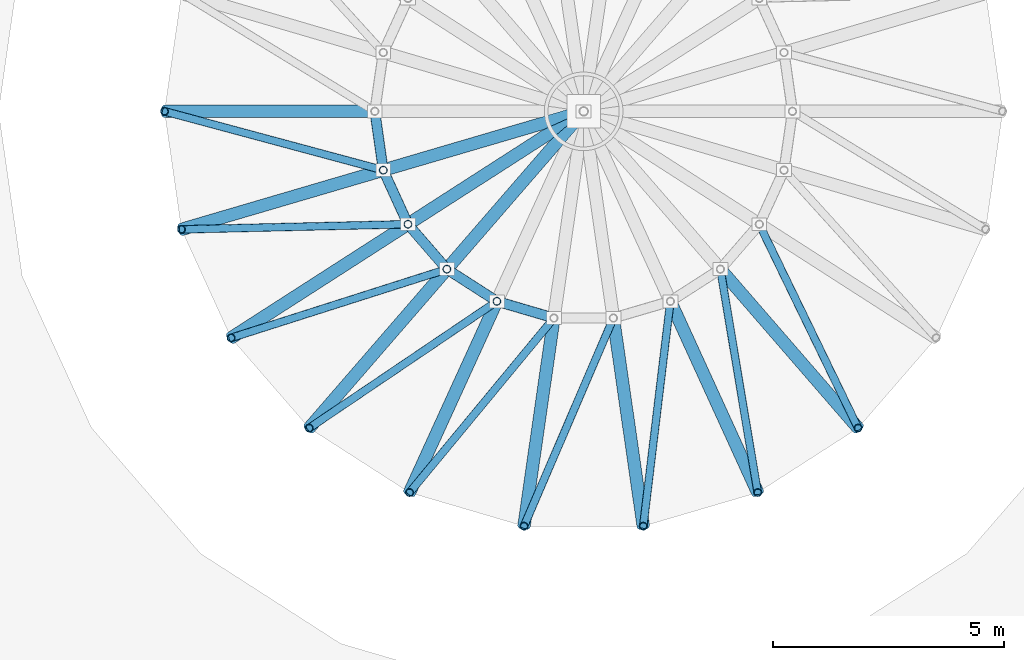
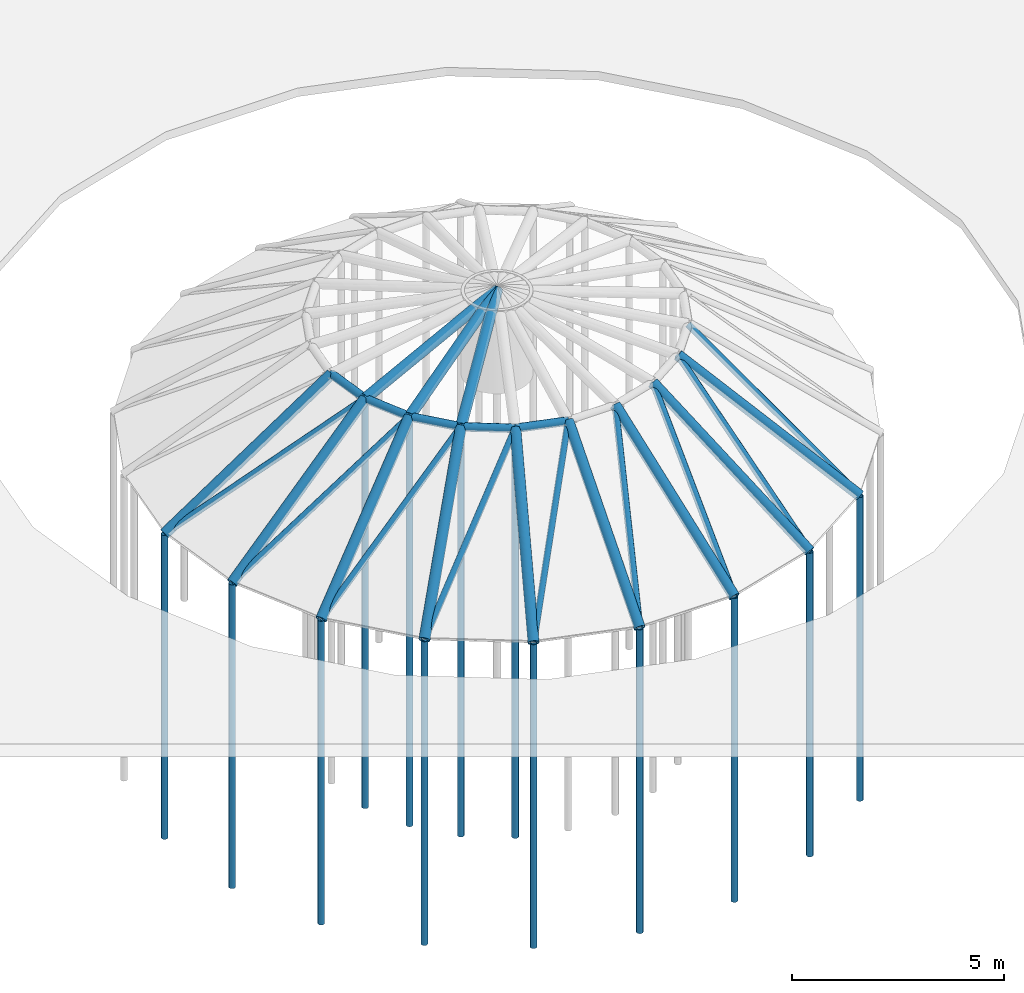
# One storey, part 1 of 8: 22 members, 17 beams.
"""IFC4 building model written with IfcOpenShell, lengths in metres."""

from ifc_helpers import new_model, si_unit, direction, frame, origin, origin_2d, place, context, subcontext, project, spatial, hollow_circle, extrude, material, material_profile, profile_set, type_object, element, save


model = new_model("IFC4")

# Units and contexts
model_context = context("Model", 3, precision=1e-05, world=origin(), true_north=direction((0.0, 1.0)))
body_context = subcontext(model_context, "Body", "Model", "MODEL_VIEW")
ifc_project = project(units=[si_unit("LENGTHUNIT", "METRE"), si_unit("AREAUNIT", "SQUARE_METRE"), si_unit("VOLUMEUNIT", "CUBIC_METRE"), si_unit("PLANEANGLEUNIT", "RADIAN"), si_unit("MASSUNIT", "GRAM", prefix="KILO")], contexts=[model_context])

# Site, building, storey
site_placement = place(None, origin())
site = spatial("IfcSite", under=ifc_project, at=site_placement, CompositionType="ELEMENT")
building_placement = place(site_placement, origin())
building = spatial("IfcBuilding", under=site, at=building_placement, Name="Pelvatis Terrace Science Centre", CompositionType="ELEMENT")
storey_placement = place(building_placement, frame((0.0, 0.0, 28.800048828125)))
storey = spatial("IfcBuildingStorey", under=building, at=storey_placement, Name="RF", CompositionType="ELEMENT", Elevation=28.800048828125)

# Beams
ifc_material_1 = material(Name="Structural steel S355", Category="steel")
ifc_material_profile_1 = material_profile(ifc_material_1, hollow_circle(Radius=0.136474609375, WallThickness=0.010009765625, at=origin_2d()), Name="CHS 273.0x10.0")
ifc_profile_set_1 = profile_set([ifc_material_profile_1], Name="Structural steel S355")
beam_type_1 = type_object("IfcBeamType", Name="BM-DOME-CHS273", PredefinedType="BEAM", material=ifc_profile_set_1)
beam_1_placement = place(storey_placement, frame((100.13623046875, 85.800048828125, -1.447265625), z_axis=(0.833904939905, 0.0, 0.551908100323), x_axis=(0.0, 1.0, 0.0)))
element("IfcBeam", 1, at=beam_1_placement, inside=storey, type_object=beam_type_1, Name="Planetarium meridional dome rib 12.3", PredefinedType="BEAM", context=body_context, shape_type="SweptSolid", body=[
    extrude(hollow_circle(Radius=0.136474609375, WallThickness=0.010009765625, at=origin_2d()), origin(), (0.0, 0.0, 1.0), 5.454345703125),
])
beam_2_placement = place(storey_placement, frame((100.50341796875, 83.24658203125, -1.447265625), z_axis=(0.800125928347, 0.234912496334, 0.551919031973), x_axis=(-0.281704212601, 0.95950129578, 0.0)))
element("IfcBeam", 2, at=beam_2_placement, inside=storey, type_object=beam_type_1, Name="Planetarium meridional dome rib 13.3", PredefinedType="BEAM", context=body_context, shape_type="SweptSolid", body=[
    extrude(hollow_circle(Radius=0.136474609375, WallThickness=0.010009765625, at=origin_2d()), origin(), (0.0, 0.0, 1.0), 5.4541015625),
])
beam_3_placement = place(storey_placement, frame((104.867431640625, 84.52783203125, 1.56298828125), z_axis=(0.943420850134, 0.277029530601, 0.182240881002), x_axis=(-0.28174770157, 0.959488526591, 0.0)))
element("IfcBeam", 3, at=beam_3_placement, inside=storey, type_object=beam_type_1, Name="Planetarium meridional dome rib 13.4", PredefinedType="BEAM", context=body_context, shape_type="SweptSolid", body=[
    extrude(hollow_circle(Radius=0.136474609375, WallThickness=0.010009765625, at=origin_2d()), origin(), (0.0, 0.0, 1.0), 4.59228515625),
])
beam_4_placement = place(storey_placement, frame((101.5751953125, 80.89990234375, -1.447265625), z_axis=(0.701514857853, 0.450845944889, 0.551919231581), x_axis=(-0.54064906726, 0.841248230947, 0.0)))
element("IfcBeam", 4, at=beam_4_placement, inside=storey, type_object=beam_type_1, Name="Planetarium meridional dome rib 14.3", PredefinedType="BEAM", context=body_context, shape_type="SweptSolid", body=[
    extrude(hollow_circle(Radius=0.136474609375, WallThickness=0.010009765625, at=origin_2d()), origin(), (0.0, 0.0, 1.0), 5.4541015625),
])
beam_5_placement = place(storey_placement, frame((105.4013671875, 83.35888671875, 1.56298828125), z_axis=(0.82716924602, 0.531580775818, 0.182244114362), x_axis=(-0.540634613019, 0.841257520148, 0.0)))
element("IfcBeam", 5, at=beam_5_placement, inside=storey, type_object=beam_type_1, Name="Planetarium meridional dome rib 14.4", PredefinedType="BEAM", context=body_context, shape_type="SweptSolid", body=[
    extrude(hollow_circle(Radius=0.136474609375, WallThickness=0.010009765625, at=origin_2d()), origin(), (0.0, 0.0, 1.0), 4.59228515625),
])
beam_6_placement = place(storey_placement, frame((103.2646484375, 78.9501953125, -1.447265625), z_axis=(0.546067911742, 0.630222979704, 0.551931908499), x_axis=(-0.755763467221, 0.654844700379, 0.0)))
element("IfcBeam", 6, at=beam_6_placement, inside=storey, type_object=beam_type_1, Name="Planetarium meridional dome rib 15.3", PredefinedType="BEAM", context=body_context, shape_type="SweptSolid", body=[
    extrude(hollow_circle(Radius=0.136474609375, WallThickness=0.010009765625, at=origin_2d()), origin(), (0.0, 0.0, 1.0), 5.4541015625),
])
beam_7_placement = place(storey_placement, frame((106.242919921875, 82.387451171875, 1.56298828125), z_axis=(0.643894512117, 0.743094244582, 0.182238308086), x_axis=(-0.755749733489, 0.654860550294, 0.0)))
element("IfcBeam", 7, at=beam_7_placement, inside=storey, type_object=beam_type_1, Name="Planetarium meridional dome rib 15.4", PredefinedType="BEAM", context=body_context, shape_type="SweptSolid", body=[
    extrude(hollow_circle(Radius=0.136474609375, WallThickness=0.010009765625, at=origin_2d()), origin(), (0.0, 0.0, 1.0), 4.592529296875),
])
for number, where, z_axis, x_axis, name in (
    (8, (105.434814453125, 77.555419921875, -1.447265625), (0.346414697802, 0.758540311273, 0.551917976986), (-0.90963156718, 0.415415950573, 0.0), "Planetarium meridional dome rib 16.3"),
    (9, (107.91015625, 76.82861328125, -1.447265625), (0.118664322127, 0.825413089411, 0.551916669872), (-0.98982349653, 0.142300547142, 0.0), "Planetarium meridional dome rib 17.3"),
    (10, (110.489990234375, 76.82861328125, -1.447265625), (-0.118708453569, 0.825408704302, 0.551913737747), (-0.989815934505, -0.142353137652, 0.0), "Planetarium meridional dome rib 18.3"),
    (11, (112.965087890625, 77.555419921875, -1.447265625), (-0.346414697802, 0.758540311273, 0.551917976986), (-0.90963156718, -0.415415950573, 0.0), "Planetarium meridional dome rib 19.3"),
    (12, (115.135498046875, 78.9501953125, -1.447265625), (-0.546099325938, 0.63020757458, 0.551918417116), (-0.755736900791, -0.654875359731, 0.0), "Planetarium meridional dome rib 20.3"),
):
    element("IfcBeam", number, at=place(storey_placement, frame(where, z_axis=z_axis, x_axis=x_axis)), inside=storey, type_object=beam_type_1, Name=name, PredefinedType="BEAM", context=body_context, shape_type="SweptSolid", body=[
        extrude(hollow_circle(Radius=0.136474609375, WallThickness=0.010009765625, at=origin_2d()), origin(), (0.0, 0.0, 1.0), 5.4541015625),
    ])
ifc_material_2 = material(Name="Structural steel S355", Category="steel")
ifc_material_profile_2 = material_profile(ifc_material_2, hollow_circle(Radius=0.109619140625, WallThickness=0.008056640625, at=origin_2d()), Name="CHS 219.1x8.0")
ifc_profile_set_2 = profile_set([ifc_material_profile_2], Name="Structural steel S355")
beam_type_2 = type_object("IfcBeamType", Name="BM-HOOP-CHS219", PredefinedType="BEAM", material=ifc_profile_set_2)
beam_8_placement = place(storey_placement, frame((104.6845703125, 85.800048828125, 1.56298828125), z_axis=(0.142272278362, -0.989827560138, 0.0), x_axis=(0.989827560138, 0.142272278362, 0.0)))
element("IfcBeam", 13, at=beam_8_placement, inside=storey, type_object=beam_type_2, Name="Planetarium dome hoop ring 4.12", PredefinedType="BEAM", context=body_context, shape_type="SweptSolid", body=[
    extrude(hollow_circle(Radius=0.109619140625, WallThickness=0.008056640625, at=origin_2d()), origin(), (0.0, 0.0, 1.0), 1.285400390625),
])
for number, where, z_axis, x_axis, name in (
    (14, (104.867431640625, 84.52783203125, 1.56298828125), (0.415476893128, -0.909603733104, 0.0), (0.909603733104, 0.415476893128, 0.0), "Planetarium dome hoop ring 4.13"),
    (15, (105.4013671875, 83.35888671875, 1.56298828125), (0.654771425378, -0.75582695143, 0.0), (0.75582695143, 0.654771425378, 0.0), "Planetarium dome hoop ring 4.14"),
):
    element("IfcBeam", number, at=place(storey_placement, frame(where, z_axis=z_axis, x_axis=x_axis)), inside=storey, type_object=beam_type_2, Name=name, PredefinedType="BEAM", context=body_context, shape_type="SweptSolid", body=[
        extrude(hollow_circle(Radius=0.109619140625, WallThickness=0.008056640625, at=origin_2d()), origin(), (0.0, 0.0, 1.0), 1.28515625),
    ])
beam_9_placement = place(storey_placement, frame((106.242919921875, 82.387451171875, 1.56298828125), z_axis=(0.84128337713, -0.540594376002, 0.0), x_axis=(0.540594376002, 0.84128337713, 0.0)))
element("IfcBeam", 16, at=beam_9_placement, inside=storey, type_object=beam_type_2, Name="Planetarium dome hoop ring 4.15", PredefinedType="BEAM", context=body_context, shape_type="SweptSolid", body=[
    extrude(hollow_circle(Radius=0.109619140625, WallThickness=0.008056640625, at=origin_2d()), origin(), (0.0, 0.0, 1.0), 1.285400390625),
])
beam_10_placement = place(storey_placement, frame((107.32421875, 81.692626953125, 1.56298828125), z_axis=(0.959498489301, -0.281713771458, 0.0), x_axis=(0.281713771458, 0.959498489301, 0.0)))
element("IfcBeam", 17, at=beam_10_placement, inside=storey, type_object=beam_type_2, Name="Planetarium dome hoop ring 4.16", PredefinedType="BEAM", context=body_context, shape_type="SweptSolid", body=[
    extrude(hollow_circle(Radius=0.109619140625, WallThickness=0.008056640625, at=origin_2d()), origin(), (0.0, 0.0, 1.0), 1.28515625),
])

# Members
ifc_material_3 = material(Name="Structural steel S355", Category="steel")
ifc_material_profile_3 = material_profile(ifc_material_3, hollow_circle(Radius=0.084228515625, WallThickness=0.00634765625, at=origin_2d()), Name="CHS 168.3x6.3")
ifc_profile_set_3 = profile_set([ifc_material_profile_3], Name="Structural steel S355")
member_type_1 = type_object("IfcMemberType", Name="MEM-BRC-CHS168", PredefinedType="BRACE", material=ifc_profile_set_3)
for number, where, z_axis, x_axis, name in (
    (18, (100.13623046875, 85.800048828125, -1.447265625), (0.822793596799, -0.221248641979, 0.523507149416), (0.259675018365, 0.965696062349, 0.0), "Planetarium dome lateral brace 3.12"),
    (19, (100.50341796875, 83.24658203125, -1.447265625), (0.851796033613, 0.019530763407, 0.523509375658), (-0.02292289545, 0.99973723591, 0.0), "Planetarium dome lateral brace 3.13"),
):
    element("IfcMember", number, at=place(storey_placement, frame(where, z_axis=z_axis, x_axis=x_axis)), inside=storey, type_object=member_type_1, Name=name, PredefinedType="BRACE", context=body_context, shape_type="SweptSolid", body=[
        extrude(hollow_circle(Radius=0.084228515625, WallThickness=0.00634765625, at=origin_2d()), origin(), (0.0, 0.0, 1.0), 5.750244140625),
    ])
for number, where, z_axis, x_axis, name in (
    (20, (101.5751953125, 80.89990234375, -1.447265625), (0.811783310714, 0.258705774998, 0.523525718976), (-0.303641757653, 0.952786273521, 0.0), "Planetarium dome lateral brace 3.14"),
    (21, (103.2646484375, 78.9501953125, -1.447265625), (0.706010402451, 0.476943399731, 0.523521064603), (-0.559784357682, 0.828638324539, 0.0), "Planetarium dome lateral brace 3.15"),
    (22, (105.434814453125, 77.555419921875, -1.447265625), (0.543043553139, 0.656534985316, 0.523512666943), (-0.770564787212, 0.637361678099, 0.0), "Planetarium dome lateral brace 3.16"),
    (23, (107.91015625, 76.82861328125, -1.447265625), (0.336060933378, 0.782939180227, 0.52351627398), (-0.91892579323, 0.394430458428, 0.0), "Planetarium dome lateral brace 3.17"),
    (24, (110.489990234375, 76.82861328125, -1.447265625), (0.10185849116, 0.845905260268, 0.523516130056), (-0.992828180324, 0.11955000776, 0.0), "Planetarium dome lateral brace 3.18"),
    (25, (112.965087890625, 77.555419921875, -1.447265625), (-0.140538617102, 0.840344504434, 0.523516963403), (-0.986302185102, -0.164948475783, 0.0), "Planetarium dome lateral brace 3.19"),
):
    element("IfcMember", number, at=place(storey_placement, frame(where, z_axis=z_axis, x_axis=x_axis)), inside=storey, type_object=member_type_1, Name=name, PredefinedType="BRACE", context=body_context, shape_type="SweptSolid", body=[
        extrude(hollow_circle(Radius=0.084228515625, WallThickness=0.00634765625, at=origin_2d()), origin(), (0.0, 0.0, 1.0), 5.75),
    ])
member_1_placement = place(storey_placement, frame((115.135498046875, 78.9501953125, -1.447265625), z_axis=(-0.371632800205, 0.766702285627, 0.523504218728), x_axis=(-0.8998609327, -0.436176915712, 0.0)))
element("IfcMember", 26, at=member_1_placement, inside=storey, type_object=member_type_1, Name="Planetarium dome lateral brace 3.20", PredefinedType="BRACE", context=body_context, shape_type="SweptSolid", body=[
    extrude(hollow_circle(Radius=0.084228515625, WallThickness=0.00634765625, at=origin_2d()), origin(), (0.0, 0.0, 1.0), 5.750244140625),
])
ifc_material_4 = material(Name="Structural steel S355", Category="steel")
ifc_material_profile_4 = material_profile(ifc_material_4, hollow_circle(Radius=0.084228515625, WallThickness=0.00634765625, at=origin_2d()), Name="CHS 168.3x6.3")
ifc_profile_set_4 = profile_set([ifc_material_profile_4], Name="Structural steel S355")
member_type_2 = type_object("IfcMemberType", Name="MEM-STR-CHS168", PredefinedType="STRUT", material=ifc_profile_set_4)
for number, where, z_axis, x_axis, name in (
    (27, (100.13623046875, 85.800048828125, -10.199951171875), (0.0, 0.0, 1.0), (1.0, 0.0, 0.0), "Dome arch vertical web post 2.12"),
    (28, (100.50341796875, 83.24658203125, -10.199951171875), (0.0, 0.0, 1.0), (1.0, 0.0, 0.0), "Dome arch vertical web post 2.13"),
):
    element("IfcMember", number, at=place(storey_placement, frame(where, z_axis=z_axis, x_axis=x_axis)), inside=storey, type_object=member_type_2, Name=name, PredefinedType="STRUT", context=body_context, shape_type="SweptSolid", body=[
        extrude(hollow_circle(Radius=0.084228515625, WallThickness=0.00634765625, at=origin_2d()), origin(), (0.0, 0.0, 1.0), 8.752685546875),
    ])
member_2_placement = place(storey_placement, frame((104.867431640625, 84.52783203125, -10.199951171875), z_axis=(0.0, 0.0, 1.0), x_axis=(1.0, 0.0, 0.0)))
element("IfcMember", 29, at=member_2_placement, inside=storey, type_object=member_type_2, Name="Dome arch vertical web post 3.13", PredefinedType="STRUT", context=body_context, shape_type="SweptSolid", body=[
    extrude(hollow_circle(Radius=0.084228515625, WallThickness=0.00634765625, at=origin_2d()), origin(), (0.0, 0.0, 1.0), 11.762939453125),
])
member_3_placement = place(storey_placement, frame((101.5751953125, 80.89990234375, -10.199951171875), z_axis=(0.0, 0.0, 1.0), x_axis=(1.0, 0.0, 0.0)))
element("IfcMember", 30, at=member_3_placement, inside=storey, type_object=member_type_2, Name="Dome arch vertical web post 2.14", PredefinedType="STRUT", context=body_context, shape_type="SweptSolid", body=[
    extrude(hollow_circle(Radius=0.084228515625, WallThickness=0.00634765625, at=origin_2d()), origin(), (0.0, 0.0, 1.0), 8.752685546875),
])
member_4_placement = place(storey_placement, frame((105.4013671875, 83.35888671875, -10.199951171875), z_axis=(0.0, 0.0, 1.0), x_axis=(1.0, 0.0, 0.0)))
element("IfcMember", 31, at=member_4_placement, inside=storey, type_object=member_type_2, Name="Dome arch vertical web post 3.14", PredefinedType="STRUT", context=body_context, shape_type="SweptSolid", body=[
    extrude(hollow_circle(Radius=0.084228515625, WallThickness=0.00634765625, at=origin_2d()), origin(), (0.0, 0.0, 1.0), 11.762939453125),
])
member_5_placement = place(storey_placement, frame((103.2646484375, 78.9501953125, -10.199951171875), z_axis=(0.0, 0.0, 1.0), x_axis=(1.0, 0.0, 0.0)))
element("IfcMember", 32, at=member_5_placement, inside=storey, type_object=member_type_2, Name="Dome arch vertical web post 2.15", PredefinedType="STRUT", context=body_context, shape_type="SweptSolid", body=[
    extrude(hollow_circle(Radius=0.084228515625, WallThickness=0.00634765625, at=origin_2d()), origin(), (0.0, 0.0, 1.0), 8.752685546875),
])
member_6_placement = place(storey_placement, frame((106.242919921875, 82.387451171875, -10.199951171875), z_axis=(0.0, 0.0, 1.0), x_axis=(1.0, 0.0, 0.0)))
element("IfcMember", 33, at=member_6_placement, inside=storey, type_object=member_type_2, Name="Dome arch vertical web post 3.15", PredefinedType="STRUT", context=body_context, shape_type="SweptSolid", body=[
    extrude(hollow_circle(Radius=0.084228515625, WallThickness=0.00634765625, at=origin_2d()), origin(), (0.0, 0.0, 1.0), 11.762939453125),
])
member_7_placement = place(storey_placement, frame((105.434814453125, 77.555419921875, -10.199951171875), z_axis=(0.0, 0.0, 1.0), x_axis=(1.0, 0.0, 0.0)))
element("IfcMember", 34, at=member_7_placement, inside=storey, type_object=member_type_2, Name="Dome arch vertical web post 2.16", PredefinedType="STRUT", context=body_context, shape_type="SweptSolid", body=[
    extrude(hollow_circle(Radius=0.084228515625, WallThickness=0.00634765625, at=origin_2d()), origin(), (0.0, 0.0, 1.0), 8.752685546875),
])
member_8_placement = place(storey_placement, frame((107.32421875, 81.692626953125, -10.199951171875), z_axis=(0.0, 0.0, 1.0), x_axis=(1.0, 0.0, 0.0)))
element("IfcMember", 35, at=member_8_placement, inside=storey, type_object=member_type_2, Name="Dome arch vertical web post 3.16", PredefinedType="STRUT", context=body_context, shape_type="SweptSolid", body=[
    extrude(hollow_circle(Radius=0.084228515625, WallThickness=0.00634765625, at=origin_2d()), origin(), (0.0, 0.0, 1.0), 11.762939453125),
])
for number, where, z_axis, x_axis, name in (
    (36, (107.91015625, 76.82861328125, -10.199951171875), (0.0, 0.0, 1.0), (1.0, 0.0, 0.0), "Dome arch vertical web post 2.17"),
    (37, (110.489990234375, 76.82861328125, -10.199951171875), (0.0, 0.0, 1.0), (1.0, 0.0, 0.0), "Dome arch vertical web post 2.18"),
    (38, (112.965087890625, 77.555419921875, -10.199951171875), (0.0, 0.0, 1.0), (1.0, 0.0, 0.0), "Dome arch vertical web post 2.19"),
    (39, (115.135498046875, 78.9501953125, -10.199951171875), (0.0, 0.0, 1.0), (1.0, 0.0, 0.0), "Dome arch vertical web post 2.20"),
):
    element("IfcMember", number, at=place(storey_placement, frame(where, z_axis=z_axis, x_axis=x_axis)), inside=storey, type_object=member_type_2, Name=name, PredefinedType="STRUT", context=body_context, shape_type="SweptSolid", body=[
        extrude(hollow_circle(Radius=0.084228515625, WallThickness=0.00634765625, at=origin_2d()), origin(), (0.0, 0.0, 1.0), 8.752685546875),
    ])

save(model, "model.ifc")
